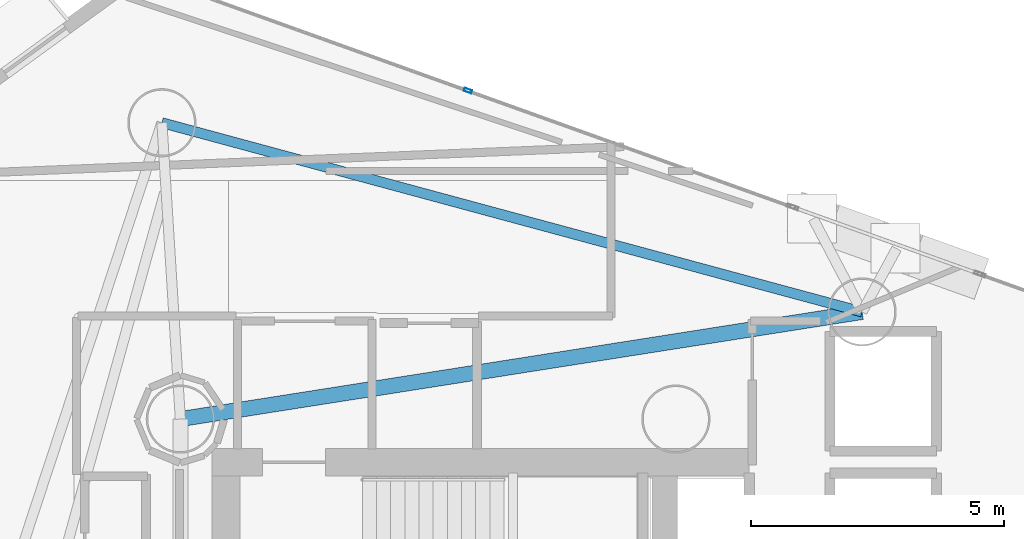
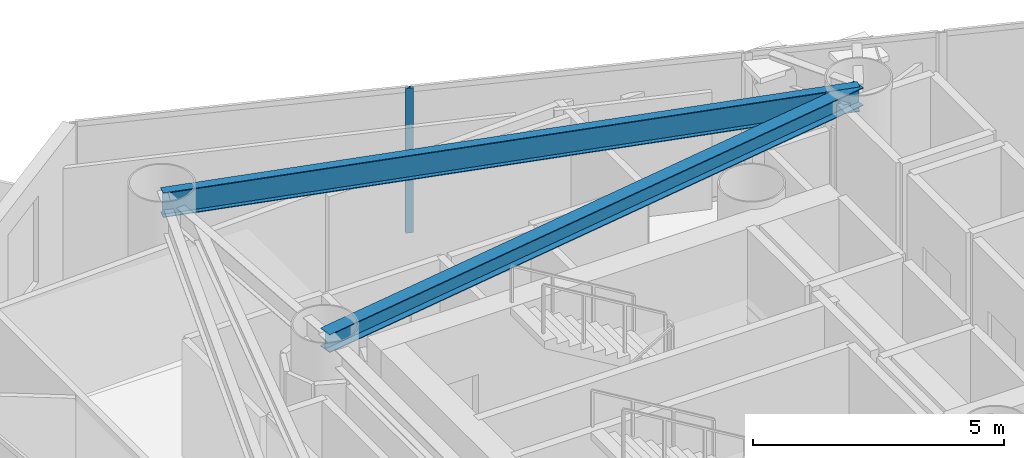
# One storey, part 12 of 21: 2 beams, 1 member, 1 element without a shape of its own.
"""IFC4 building model written with IfcOpenShell, lengths in metres."""

from ifc_helpers import new_model, si_unit, direction, frame, origin, origin_2d, place, context, subcontext, project, spatial, hollow_rectangle, i_section, extrude, material, layer, layer_set, material_profile, profile_set, type_object, element, aggregate, save


model = new_model("IFC4")

# Units and contexts
model_context = context("Model", 3, precision=1e-05, world=origin(), true_north=direction((0.0, 1.0)))
body_context = subcontext(model_context, "Body", "Model", "MODEL_VIEW")
ifc_project = project(units=[si_unit("LENGTHUNIT", "METRE"), si_unit("AREAUNIT", "SQUARE_METRE"), si_unit("VOLUMEUNIT", "CUBIC_METRE"), si_unit("PLANEANGLEUNIT", "RADIAN"), si_unit("MASSUNIT", "GRAM", prefix="KILO")], contexts=[model_context])

# Site, building, storey
site_placement = place(None, origin())
site = spatial("IfcSite", under=ifc_project, at=site_placement, CompositionType="ELEMENT")
building_placement = place(site_placement, origin())
building = spatial("IfcBuilding", under=site, at=building_placement, Name="Qianvela Tower", CompositionType="ELEMENT")
storey_placement = place(building_placement, frame((0.0, 0.0, 166.10009765625)))
storey = spatial("IfcBuildingStorey", under=building, at=storey_placement, Name="L42", CompositionType="ELEMENT", Elevation=166.10009765625)

# Beams
ifc_material_1 = material(Name="Steel Q355B", Category="steel")
ifc_material_profile_1 = material_profile(ifc_material_1, i_section(OverallWidth=0.300048828125, OverallDepth=0.43994140625, WebThickness=0.010986328125, FlangeThickness=0.01806640625, at=origin_2d()), Name="HM440x300x11x18")
ifc_profile_set_1 = profile_set([ifc_material_profile_1], Name="Steel Q355B")
beam_type_1 = type_object("IfcBeamType", Name="BM-HM440-COLL", PredefinedType="BEAM", material=ifc_profile_set_1)
beam_1_placement = place(storey_placement, frame((28.60009765625, 33.550048828125, 3.2978515625), z_axis=(0.98787540104, 0.155248806823, 0.0), x_axis=(-0.155248806823, 0.98787540104, 0.0)))
element("IfcBeam", 1, at=beam_1_placement, inside=storey, type_object=beam_type_1, Name="L42 Perimeter Ring Tie Girder 1B", PredefinedType="BEAM", context=body_context, shape_type="SweptSolid", body=[
    extrude(i_section(OverallWidth=0.300048828125, OverallDepth=0.43994140625, WebThickness=0.010986328125, FlangeThickness=0.01806640625, at=origin_2d()), origin(), (0.0, 0.0, 1.0), 13.6484375),
])
ifc_material_2 = material(Name="Steel Q355B", Category="steel")
ifc_material_profile_2 = material_profile(ifc_material_2, i_section(OverallWidth=0.199951171875, OverallDepth=0.60009765625, WebThickness=0.010986328125, FlangeThickness=0.01708984375, at=origin_2d()), Name="HN600x200x11x17")
ifc_profile_set_2 = profile_set([ifc_material_profile_2], Name="Steel Q355B")
beam_type_2 = type_object("IfcBeamType", Name="BM-HN600-GIRD", PredefinedType="BEAM", material=ifc_profile_set_2)
beam_2_placement = place(storey_placement, frame((42.0830078125, 35.6689453125, 3.218017578125), z_axis=(-0.965376252239, 0.260861441407, 0.0), x_axis=(-0.260861441407, -0.965376252239, 0.0)))
element("IfcBeam", 2, at=beam_2_placement, inside=storey, type_object=beam_type_2, Name="L42 Perimeter Ring Spandrel Girder 2", PredefinedType="BEAM", context=body_context, shape_type="SweptSolid", body=[
    extrude(i_section(OverallWidth=0.199951171875, OverallDepth=0.60009765625, WebThickness=0.010986328125, FlangeThickness=0.01708984375, at=origin_2d()), origin(), (0.0, 0.0, 1.0), 14.344482421875),
])

# Curtain wall, member
ifc_material_3 = material(Name="Anodised Architectural Aluminium and Low-E Glass", Category="aluminium")
ifc_layer = layer(ifc_material_3, 0.169921875)
ifc_layer_set = layer_set([ifc_layer], Name="Anodised Architectural Aluminium and Low-E Glass")
curtain_wall_type = type_object("IfcCurtainWallType", Name="CW-COLIV-Z34", PredefinedType="USERDEFINED", material=ifc_layer_set)
curtain_wall_placement = place(storey_placement, origin())
curtain_wall = element("IfcCurtainWall", 3, at=curtain_wall_placement, inside=storey, type_object=curtain_wall_type, Name="L42 CW-COLIV-Z34 Curtain Wall 02C", ObjectType="CURTAIN_WALL_SYSTEM", PredefinedType="USERDEFINED")
ifc_material_4 = material(Name="Anodised Architectural Aluminium 6063-T6", Category="aluminium")
ifc_material_profile_3 = material_profile(ifc_material_4, hollow_rectangle(XDim=0.06494140625, YDim=0.159912109375, WallThickness=0.0048828125, at=origin_2d()), Name="ALU-MULL-65x160")
ifc_profile_set_3 = profile_set([ifc_material_profile_3], Name="Anodised Architectural Aluminium 6063-T6")
member_type = type_object("IfcMemberType", Name="CW-COLIV-Z34-MULL", PredefinedType="MULLION", material=ifc_profile_set_3)
member_placement = place(storey_placement, frame((34.28662109375, 40.044921875, 0.0), z_axis=(0.0, 0.0, 1.0), x_axis=(-0.3373095165, -0.941393801806, 0.0)))
member = element("IfcMember", 4, at=member_placement, type_object=member_type, Name="CW-4 mullion 2", PredefinedType="MULLION", context=body_context, shape_type="SweptSolid", body=[
    extrude(hollow_rectangle(XDim=0.06494140625, YDim=0.159912109375, WallThickness=0.0048828125, at=origin_2d()), origin(), (0.0, 0.0, 1.0), 3.52001953125),
])
aggregate(curtain_wall, [member])

save(model, "model.ifc")
